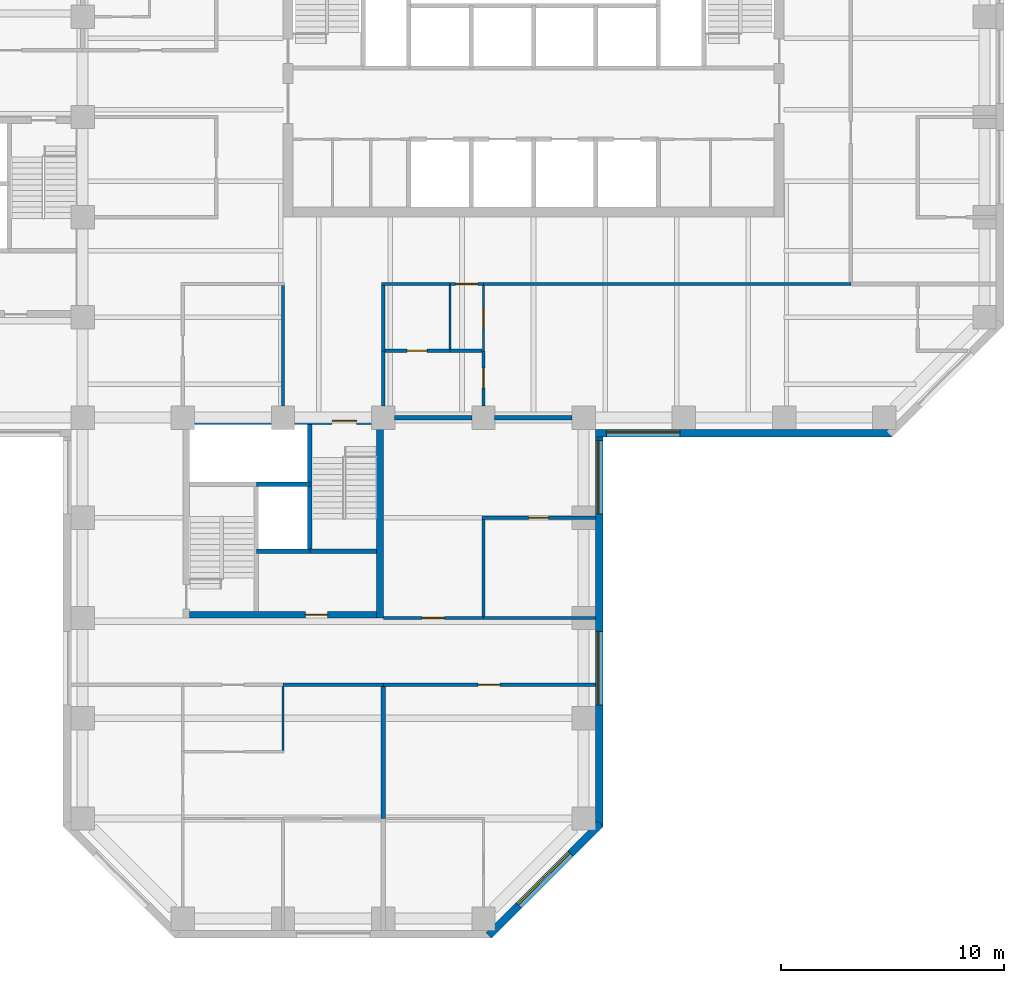
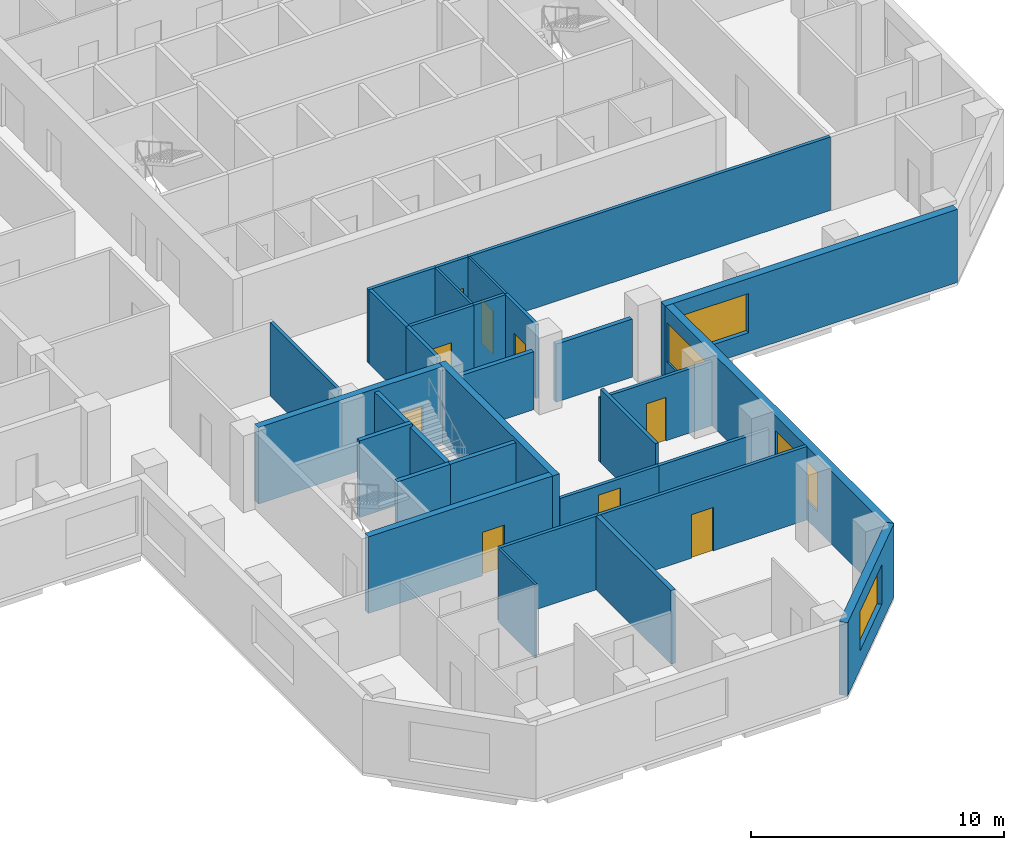
# One storey, part 4 of 11: 31 walls, 9 doors, 4 windows, 13 openings.
"""IFC4 building model written with IfcOpenShell, lengths in metres."""

from ifc_helpers import new_model, si_unit, direction, frame, frame_2d, origin, place, context, subcontext, project, spatial, rectangle, extrude, material, layer, layer_set, constituent, constituent_set, type_object, element, fill, save


model = new_model("IFC4")

# Units and contexts
model_context = context("Model", 3, precision=1e-05, world=origin(), true_north=direction((0.0, 1.0)))
body_context = subcontext(model_context, "Body", "Model", "MODEL_VIEW")
ifc_project = project(units=[si_unit("LENGTHUNIT", "METRE"), si_unit("AREAUNIT", "SQUARE_METRE"), si_unit("VOLUMEUNIT", "CUBIC_METRE"), si_unit("PLANEANGLEUNIT", "RADIAN"), si_unit("MASSUNIT", "GRAM", prefix="KILO")], contexts=[model_context])

# Site, building, storey
site_placement = place(None, origin())
site = spatial("IfcSite", under=ifc_project, at=site_placement, CompositionType="ELEMENT")
building_placement = place(site_placement, origin())
building = spatial("IfcBuilding", under=site, at=building_placement, Name="Quoin Convention Tower", CompositionType="ELEMENT")
storey_placement = place(building_placement, frame((0.0, 0.0, 119.60009765625)))
storey = spatial("IfcBuildingStorey", under=building, at=storey_placement, Name="L31", CompositionType="ELEMENT", Elevation=119.60009765625)

# Wall, opening, door
ifc_material_1 = material(Name="Plasterboard")
ifc_layer_1 = layer(ifc_material_1, 0.012451171875, Name="Finish")
ifc_material_2 = material(Name="Steel stud framing", Category="steel")
ifc_layer_2 = layer(ifc_material_2, 0.125, Name="Structure")
ifc_layer_3 = layer(ifc_material_1, 0.012451171875, Name="Finish")
ifc_layer_set_1 = layer_set([ifc_layer_1, ifc_layer_2, ifc_layer_3], Name="Steel stud framing")
wall_type_1 = type_object("IfcWallType", Name="Acoustic partition 150", PredefinedType="PARTITIONING", material=ifc_layer_set_1)
wall_1_placement = place(storey_placement, frame((49.574951171875, 43.5, 0.0), z_axis=(0.0, 0.0, 1.0), x_axis=(1.0, 0.0, 0.0)))
wall_1 = element("IfcWall", 1, at=wall_1_placement, inside=storey, type_object=wall_type_1, Name="pw-L31-014", PredefinedType="PARTITIONING", context=body_context, shape_type="SweptSolid", body=[
    extrude(rectangle(XDim=2.925048828125, YDim=0.14990234375, at=frame_2d((1.46240234375, 0.0))), origin(), (0.0, 0.0, 1.0), 3.5498046875),
])
opening_1_placement = place(wall_1_placement, frame((1.0, 0.0, 0.0)))
opening_1 = element("IfcOpeningElement", 2, at=opening_1_placement, cuts=wall_1, Name="Opening DOL6-08", PredefinedType="OPENING", context=body_context, shape_type="SweptSolid", body=[
    extrude(rectangle(XDim=0.89990234375, YDim=2.10009765625, at=frame_2d((0.449951171875, 1.050048828125))), frame((0.0, 0.0849609375, 0.0), z_axis=(0.0, -1.0, 0.0), x_axis=(1.0, 0.0, 0.0)), (0.0, 0.0, 1.0), 0.169921875),
])
ifc_material_3 = material(Name="Steel door leaf", Category="steel")
door_type_1 = type_object("IfcDoorType", Name="Office door 900 x 2100", OperationType="SINGLE_SWING_RIGHT", PredefinedType="DOOR", material=ifc_material_3)
door_1_placement = place(opening_1_placement, frame((0.89990234375, 0.0, 0.0), z_axis=(0.0, 0.0, 1.0), x_axis=(-1.0, 0.0, 0.0)))
door_1 = element("IfcDoor", 3, at=door_1_placement, inside=storey, type_object=door_type_1, Name="dr-L31-22", OperationType="SINGLE_SWING_LEFT", OverallHeight=2.10009765625, OverallWidth=0.89990234375, PredefinedType="DOOR", context=body_context, shape_type="SweptSolid", body=[
    extrude(rectangle(XDim=0.89990234375, YDim=2.10009765625, at=frame_2d((0.449951171875, 1.050048828125))), frame((0.0, 0.02490234375, 0.0), z_axis=(0.0, -1.0, 0.0), x_axis=(1.0, 0.0, 0.0)), (0.0, 0.0, 1.0), 0.050048828125),
])
fill(opening_1, door_1)

# Walls
wall_2_placement = place(storey_placement, frame((52.5, 43.5, 0.0), z_axis=(0.0, 0.0, 1.0), x_axis=(1.0, 0.0, 0.0)))
element("IfcWall", 4, at=wall_2_placement, inside=storey, type_object=wall_type_1, Name="pw-L31-015", PredefinedType="PARTITIONING", context=body_context, shape_type="SweptSolid", body=[
    extrude(rectangle(XDim=1.425048828125, YDim=0.14990234375, at=frame_2d((0.71240234375, 0.0))), origin(), (0.0, 0.0, 1.0), 3.5498046875),
])
wall_3_placement = place(storey_placement, frame((54.0, 31.574951171875, 0.0), z_axis=(0.0, 0.0, 1.0), x_axis=(0.0, 1.0, 0.0)))
element("IfcWall", 5, at=wall_3_placement, inside=storey, type_object=wall_type_1, Name="pw-L31-067", PredefinedType="PARTITIONING", context=body_context, shape_type="SweptSolid", body=[
    extrude(rectangle(XDim=4.35009765625, YDim=0.14990234375, at=frame_2d((2.175048828125, 0.0))), origin(), (0.0, 0.0, 1.0), 3.5498046875),
])

# Wall, opening, door
wall_4_placement = place(storey_placement, frame((54.0, 41.02490234375, 0.0), z_axis=(0.0, 0.0, 1.0), x_axis=(0.0, 1.0, 0.0)))
wall_4 = element("IfcWall", 6, at=wall_4_placement, inside=storey, type_object=wall_type_1, Name="pw-L31-072", PredefinedType="PARTITIONING", context=body_context, shape_type="SweptSolid", body=[
    extrude(rectangle(XDim=2.47509765625, YDim=0.14990234375, at=frame_2d((1.237548828125, 0.0))), origin(), (0.0, 0.0, 1.0), 3.5498046875),
])
opening_2_placement = place(wall_4_placement, frame((0.800048828125, 0.0, 0.0)))
opening_2 = element("IfcOpeningElement", 7, at=opening_2_placement, cuts=wall_4, Name="Opening DOL6-26", PredefinedType="OPENING", context=body_context, shape_type="SweptSolid", body=[
    extrude(rectangle(XDim=0.89990234375, YDim=2.10009765625, at=frame_2d((0.449951171875, 1.050048828125))), frame((0.0, 0.0849609375, 0.0), z_axis=(0.0, -1.0, 0.0), x_axis=(1.0, 0.0, 0.0)), (0.0, 0.0, 1.0), 0.169921875),
])
door_2_placement = place(opening_2_placement, frame((0.89990234375, 0.0, 0.0), z_axis=(0.0, 0.0, 1.0), x_axis=(-1.0, 0.0, 0.0)))
door_2 = element("IfcDoor", 8, at=door_2_placement, inside=storey, type_object=door_type_1, Name="dr-L31-21", OperationType="SINGLE_SWING_LEFT", OverallHeight=2.10009765625, OverallWidth=0.89990234375, PredefinedType="DOOR", context=body_context, shape_type="SweptSolid", body=[
    extrude(rectangle(XDim=0.89990234375, YDim=2.10009765625, at=frame_2d((0.449951171875, 1.050048828125))), frame((0.0, 0.02490234375, 0.0), z_axis=(0.0, -1.0, 0.0), x_axis=(1.0, 0.0, 0.0)), (0.0, 0.0, 1.0), 0.050048828125),
])
fill(opening_2, door_2)

ifc_layer_4 = layer(ifc_material_1, 0.012451171875, Name="Finish")
ifc_layer_5 = layer(ifc_material_2, 0.125, Name="Structure")
ifc_layer_6 = layer(ifc_material_1, 0.012451171875, Name="Finish")
ifc_layer_set_2 = layer_set([ifc_layer_4, ifc_layer_5, ifc_layer_6], Name="Steel stud framing")
wall_type_2 = type_object("IfcWallType", Name="Acoustic partition 150 under beam 454", PredefinedType="PARTITIONING", material=ifc_layer_set_2)
wall_5_placement = place(storey_placement, frame((53.925048828125, 36.0, 0.0), z_axis=(0.0, 0.0, 1.0), x_axis=(1.0, 0.0, 0.0)))
wall_5 = element("IfcWall", 9, at=wall_5_placement, inside=storey, type_object=wall_type_2, Name="pw-L31-011", PredefinedType="PARTITIONING", context=body_context, shape_type="SweptSolid", body=[
    extrude(rectangle(XDim=5.099853515625, YDim=0.14990234375, at=frame_2d((2.5498046875, 0.0))), origin(), (0.0, 0.0, 1.0), 3.095947265625),
])
opening_3_placement = place(wall_5_placement, frame((2.10009765625, 0.0, 0.0)))
opening_3 = element("IfcOpeningElement", 10, at=opening_3_placement, cuts=wall_5, Name="Opening DOL6-07", PredefinedType="OPENING", context=body_context, shape_type="SweptSolid", body=[
    extrude(rectangle(XDim=0.89990234375, YDim=2.10009765625, at=frame_2d((0.449951171875, 1.050048828125))), frame((0.0, 0.0849609375, 0.0), z_axis=(0.0, -1.0, 0.0), x_axis=(1.0, 0.0, 0.0)), (0.0, 0.0, 1.0), 0.169921875),
])
door_3_placement = place(opening_3_placement, origin())
door_3 = element("IfcDoor", 11, at=door_3_placement, inside=storey, type_object=door_type_1, Name="dr-L31-17", OperationType="SINGLE_SWING_RIGHT", OverallHeight=2.10009765625, OverallWidth=0.89990234375, PredefinedType="DOOR", context=body_context, shape_type="SweptSolid", body=[
    extrude(rectangle(XDim=0.89990234375, YDim=2.10009765625, at=frame_2d((0.449951171875, 1.050048828125))), frame((0.0, 0.02490234375, 0.0), z_axis=(0.0, -1.0, 0.0), x_axis=(1.0, 0.0, 0.0)), (0.0, 0.0, 1.0), 0.050048828125),
])
fill(opening_3, door_3)

# Wall, opening, window
ifc_material_4 = material(Name="Brick masonry", Category="masonry")
ifc_layer_7 = layer(ifc_material_4, 0.35009765625)
ifc_layer_set_3 = layer_set([ifc_layer_7], Name="Brick masonry")
wall_type_3 = type_object("IfcWallType", Name="Brick facade wall", PredefinedType="STANDARD", material=ifc_layer_set_3)
wall_6_placement = place(storey_placement, frame((59.02490234375, 39.800048828125, 0.0), z_axis=(0.0, 0.0, 1.0), x_axis=(1.0, 0.0, 0.0)))
wall_6 = element("IfcWall", 12, at=wall_6_placement, inside=storey, type_object=wall_type_3, Name="fw-L31-58500_40500", PredefinedType="STANDARD", context=body_context, shape_type="SweptSolid", body=[
    extrude(rectangle(XDim=13.33740234375, YDim=0.35009765625, at=frame_2d((6.668701171875, 0.0))), origin(), (0.0, 0.0, 1.0), 3.52490234375),
])
opening_4_placement = place(wall_6_placement, frame((0.5, 0.0, 0.89990234375)))
opening_4 = element("IfcOpeningElement", 13, at=opening_4_placement, cuts=wall_6, Name="Opening W-02", PredefinedType="OPENING", context=body_context, shape_type="SweptSolid", body=[
    extrude(rectangle(XDim=3.300048828125, YDim=1.89990234375, at=frame_2d((1.64990234375, 0.949951171875))), frame((0.0, 0.18505859375, 0.0), z_axis=(0.0, -1.0, 0.0), x_axis=(1.0, 0.0, 0.0)), (0.0, 0.0, 1.0), 0.3701171875),
])
ifc_material_5 = material(Name="Aluminium", Category="aluminium")
ifc_constituent_1 = constituent(ifc_material_5, Name="Frame")
ifc_material_6 = material(Name="Insulated glass", Category="glass")
ifc_constituent_2 = constituent(ifc_material_6, Name="Glazing")
ifc_constituent_set = constituent_set(constituents=[ifc_constituent_1, ifc_constituent_2], Name="Aluminium")
window_type = type_object("IfcWindowType", Name="Office window", PartitioningType="DOUBLE_PANEL_VERTICAL", PredefinedType="WINDOW", material=ifc_constituent_set)
window_1_placement = place(opening_4_placement, origin())
window_1 = element("IfcWindow", 14, at=window_1_placement, inside=storey, type_object=window_type, Name="win-L31-60750_39800", OverallHeight=1.89990234375, OverallWidth=3.300048828125, PartitioningType="SINGLE_PANEL", PredefinedType="WINDOW", context=body_context, shape_type="SweptSolid", body=[
    extrude(rectangle(XDim=3.300048828125, YDim=1.89990234375, at=frame_2d((1.64990234375, 0.949951171875))), frame((0.0, 0.0849609375, 0.0), z_axis=(0.0, -1.0, 0.0), x_axis=(1.0, 0.0, 0.0)), (0.0, 0.0, 1.0), 0.06005859375),
])
fill(opening_4, window_1)

wall_7_placement = place(storey_placement, frame((54.23876953125, 17.248779296875, 0.0), z_axis=(0.0, 0.0, 1.0), x_axis=(0.707106781187, 0.707106781187, 0.0)))
wall_7 = element("IfcWall", 15, at=wall_7_placement, inside=storey, type_object=wall_type_3, Name="fw-L31-54000_18000", PredefinedType="STANDARD", context=body_context, shape_type="SweptSolid", body=[
    extrude(rectangle(XDim=7.088623046875, YDim=0.35009765625, at=frame_2d((3.54443359375, 0.0))), origin(), (0.0, 0.0, 1.0), 3.52490234375),
])
opening_5_placement = place(wall_7_placement, frame((1.894287109375, 0.0, 0.89990234375)))
opening_5 = element("IfcOpeningElement", 16, at=opening_5_placement, cuts=wall_7, Name="Opening W-02", PredefinedType="OPENING", context=body_context, shape_type="SweptSolid", body=[
    extrude(rectangle(XDim=3.300048828125, YDim=1.89990234375, at=frame_2d((1.64990234375, 0.949951171875))), frame((0.0, 0.18505859375, 0.0), z_axis=(0.0, -1.0, 0.0), x_axis=(1.0, 0.0, 0.0)), (0.0, 0.0, 1.0), 0.3701171875),
])
window_2_placement = place(opening_5_placement, origin())
window_2 = element("IfcWindow", 17, at=window_2_placement, inside=storey, type_object=window_type, Name="win-L31-56745_19755", OverallHeight=1.89990234375, OverallWidth=3.300048828125, PartitioningType="SINGLE_PANEL", PredefinedType="WINDOW", context=body_context, shape_type="SweptSolid", body=[
    extrude(rectangle(XDim=3.300048828125, YDim=1.89990234375, at=frame_2d((1.64990234375, 0.949951171875))), frame((0.0, 0.0849609375, 0.0), z_axis=(0.0, -1.0, 0.0), x_axis=(1.0, 0.0, 0.0)), (0.0, 0.0, 1.0), 0.06005859375),
])
fill(opening_5, window_2)

# Wall, openings, windows
wall_8_placement = place(storey_placement, frame((59.199951171875, 22.1376953125, 0.0), z_axis=(0.0, 0.0, 1.0), x_axis=(0.0, 1.0, 0.0)))
wall_8 = element("IfcWall", 18, at=wall_8_placement, inside=storey, type_object=wall_type_3, Name="fw-L31-58500_22500", PredefinedType="STANDARD", context=body_context, shape_type="SweptSolid", body=[
    extrude(rectangle(XDim=17.83740234375, YDim=0.35009765625, at=frame_2d((8.918701171875, 0.0))), origin(), (0.0, 0.0, 1.0), 3.52490234375),
])
opening_6_placement = place(wall_8_placement, frame((5.46240234375, 0.0, 0.89990234375)))
opening_6 = element("IfcOpeningElement", 19, at=opening_6_placement, cuts=wall_8, Name="Opening W-02", PredefinedType="OPENING", context=body_context, shape_type="SweptSolid", body=[
    extrude(rectangle(XDim=3.300048828125, YDim=1.89990234375, at=frame_2d((1.64990234375, 0.949951171875))), frame((0.0, 0.18505859375, 0.0), z_axis=(0.0, -1.0, 0.0), x_axis=(1.0, 0.0, 0.0)), (0.0, 0.0, 1.0), 0.3701171875),
])
opening_7_placement = place(wall_8_placement, frame((14.037353515625, 0.0, 0.89990234375)))
opening_7 = element("IfcOpeningElement", 20, at=opening_7_placement, cuts=wall_8, Name="Opening W-02", PredefinedType="OPENING", context=body_context, shape_type="SweptSolid", body=[
    extrude(rectangle(XDim=3.300048828125, YDim=1.89990234375, at=frame_2d((1.64990234375, 0.949951171875))), frame((0.0, 0.18505859375, 0.0), z_axis=(0.0, -1.0, 0.0), x_axis=(1.0, 0.0, 0.0)), (0.0, 0.0, 1.0), 0.3701171875),
])
window_3_placement = place(opening_6_placement, origin())
window_3 = element("IfcWindow", 21, at=window_3_placement, inside=storey, type_object=window_type, Name="win-L31-59200_29250", OverallHeight=1.89990234375, OverallWidth=3.300048828125, PartitioningType="SINGLE_PANEL", PredefinedType="WINDOW", context=body_context, shape_type="SweptSolid", body=[
    extrude(rectangle(XDim=3.300048828125, YDim=1.89990234375, at=frame_2d((1.64990234375, 0.949951171875))), frame((0.0, 0.0849609375, 0.0), z_axis=(0.0, -1.0, 0.0), x_axis=(1.0, 0.0, 0.0)), (0.0, 0.0, 1.0), 0.06005859375),
])
fill(opening_6, window_3)
window_4_placement = place(opening_7_placement, origin())
window_4 = element("IfcWindow", 22, at=window_4_placement, inside=storey, type_object=window_type, Name="win-L31-59200_38250", OverallHeight=1.89990234375, OverallWidth=3.300048828125, PartitioningType="SINGLE_PANEL", PredefinedType="WINDOW", context=body_context, shape_type="SweptSolid", body=[
    extrude(rectangle(XDim=3.300048828125, YDim=1.89990234375, at=frame_2d((1.64990234375, 0.949951171875))), frame((0.0, 0.0849609375, 0.0), z_axis=(0.0, -1.0, 0.0), x_axis=(1.0, 0.0, 0.0)), (0.0, 0.0, 1.0), 0.06005859375),
])
fill(opening_7, window_4)

# Walls
ifc_material_7 = material(Name="Concrete C50", Category="concrete")
ifc_layer_8 = layer(ifc_material_7, 0.199951171875)
ifc_layer_set_4 = layer_set([ifc_layer_8], Name="Concrete C50")
wall_type_4 = type_object("IfcWallType", Name="Core shaft wall", PredefinedType="SOLIDWALL", material=ifc_layer_set_4)
wall_9_placement = place(storey_placement, frame((43.800048828125, 34.5, 0.0), z_axis=(0.0, 0.0, 1.0), x_axis=(1.0, 0.0, 0.0)))
element("IfcWall", 23, at=wall_9_placement, inside=storey, type_object=wall_type_4, Name="cr-P3-L31-h3000_3300", PredefinedType="SOLIDWALL", context=body_context, shape_type="SweptSolid", body=[
    extrude(rectangle(XDim=2.39990234375, YDim=0.199951171875, at=frame_2d((1.199951171875, 0.0))), origin(), (0.0, 0.0, 1.0), 3.5498046875),
])
wall_10_placement = place(storey_placement, frame((46.199951171875, 34.5, 0.0), z_axis=(0.0, 0.0, 1.0), x_axis=(1.0, 0.0, 0.0)))
element("IfcWall", 24, at=wall_10_placement, inside=storey, type_object=wall_type_4, Name="cr-P3-L31-h3000_5700", PredefinedType="SOLIDWALL", context=body_context, shape_type="SweptSolid", body=[
    extrude(rectangle(XDim=3.0, YDim=0.199951171875, at=frame_2d((1.5, 0.0))), origin(), (0.0, 0.0, 1.0), 3.5498046875),
])
wall_11_placement = place(storey_placement, frame((46.199951171875, 34.5, 0.0), z_axis=(0.0, 0.0, 1.0), x_axis=(0.0, 1.0, 0.0)))
element("IfcWall", 25, at=wall_11_placement, inside=storey, type_object=wall_type_4, Name="cr-P3-L31-v5700_3000", PredefinedType="SOLIDWALL", context=body_context, shape_type="SweptSolid", body=[
    extrude(rectangle(XDim=5.699951171875, YDim=0.199951171875, at=frame_2d((2.85009765625, 0.0))), origin(), (0.0, 0.0, 1.0), 3.5498046875),
])
ifc_layer_9 = layer(ifc_material_7, 0.199951171875)
ifc_layer_set_5 = layer_set([ifc_layer_9], Name="Concrete C50")
wall_type_5 = type_object("IfcWallType", Name="Core shaft wall to the floor level over", PredefinedType="SOLIDWALL", material=ifc_layer_set_5)
wall_12_placement = place(storey_placement, frame((43.800048828125, 37.5, 0.0), z_axis=(0.0, 0.0, 1.0), x_axis=(1.0, 0.0, 0.0)))
element("IfcWall", 26, at=wall_12_placement, inside=storey, type_object=wall_type_5, Name="cr-P3-L31-h6000_3300", PredefinedType="SOLIDWALL", context=body_context, shape_type="SweptSolid", body=[
    extrude(rectangle(XDim=2.39990234375, YDim=0.199951171875, at=frame_2d((1.199951171875, 0.0))), origin(), (0.0, 0.0, 1.0), 3.699951171875),
])
ifc_layer_10 = layer(ifc_material_1, 0.012451171875, Name="Finish")
ifc_layer_11 = layer(ifc_material_2, 0.125, Name="Structure")
ifc_layer_12 = layer(ifc_material_1, 0.012451171875, Name="Finish")
ifc_layer_set_6 = layer_set([ifc_layer_10, ifc_layer_11, ifc_layer_12], Name="Steel stud framing")
wall_type_6 = type_object("IfcWallType", Name="Corridor wall 150", PredefinedType="PARTITIONING", material=ifc_layer_set_6)
wall_13_placement = place(storey_placement, frame((45.0, 28.5, 0.0), z_axis=(0.0, 0.0, 1.0), x_axis=(1.0, 0.0, 0.0)))
element("IfcWall", 27, at=wall_13_placement, inside=storey, type_object=wall_type_6, Name="pw-L31-007", PredefinedType="PARTITIONING", context=body_context, shape_type="SweptSolid", body=[
    extrude(rectangle(XDim=4.5, YDim=0.14990234375, at=frame_2d((2.25, 0.0))), origin(), (0.0, 0.0, 1.0), 3.5498046875),
])

# Wall, opening, door
wall_14_placement = place(storey_placement, frame((49.5, 28.5, 0.0), z_axis=(0.0, 0.0, 1.0), x_axis=(1.0, 0.0, 0.0)))
wall_14 = element("IfcWall", 28, at=wall_14_placement, inside=storey, type_object=wall_type_6, Name="pw-L31-008", PredefinedType="PARTITIONING", context=body_context, shape_type="SweptSolid", body=[
    extrude(rectangle(XDim=9.52490234375, YDim=0.14990234375, at=frame_2d((4.762451171875, 0.0))), origin(), (0.0, 0.0, 1.0), 3.5498046875),
])
opening_8_placement = place(wall_14_placement, frame((4.25, 0.0, 0.0)))
opening_8 = element("IfcOpeningElement", 29, at=opening_8_placement, cuts=wall_14, Name="Opening DOL6-05", PredefinedType="OPENING", context=body_context, shape_type="SweptSolid", body=[
    extrude(rectangle(XDim=1.0, YDim=2.10009765625, at=frame_2d((0.5, 1.050048828125))), frame((0.0, 0.0849609375, 0.0), z_axis=(0.0, -1.0, 0.0), x_axis=(1.0, 0.0, 0.0)), (0.0, 0.0, 1.0), 0.169921875),
])
door_type_2 = type_object("IfcDoorType", Name="Tenancy entrance door 1000 x 2100", OperationType="DOUBLE_DOOR_SINGLE_SWING", PredefinedType="DOOR", material=ifc_material_3)
door_4_placement = place(opening_8_placement, frame((1.0, 0.0, 0.0), z_axis=(0.0, 0.0, 1.0), x_axis=(-1.0, 0.0, 0.0)))
door_4 = element("IfcDoor", 30, at=door_4_placement, inside=storey, type_object=door_type_2, Name="dr-L31-14", OperationType="DOUBLE_DOOR_SINGLE_SWING", OverallHeight=2.10009765625, OverallWidth=1.0, PredefinedType="DOOR", context=body_context, shape_type="SweptSolid", body=[
    extrude(rectangle(XDim=1.0, YDim=2.10009765625, at=frame_2d((0.5, 1.050048828125))), frame((0.0, 0.02490234375, 0.0), z_axis=(0.0, -1.0, 0.0), x_axis=(1.0, 0.0, 0.0)), (0.0, 0.0, 1.0), 0.050048828125),
])
fill(opening_8, door_4)

# Wall
wall_15_placement = place(storey_placement, frame((49.425048828125, 46.5, 0.0), z_axis=(0.0, 0.0, 1.0), x_axis=(1.0, 0.0, 0.0)))
element("IfcWall", 31, at=wall_15_placement, inside=storey, type_object=wall_type_6, Name="pw-L31-021", PredefinedType="PARTITIONING", context=body_context, shape_type="SweptSolid", body=[
    extrude(rectangle(XDim=3.074951171875, YDim=0.14990234375, at=frame_2d((1.53759765625, 0.0))), origin(), (0.0, 0.0, 1.0), 3.5498046875),
])

# Wall, opening, door
wall_16_placement = place(storey_placement, frame((52.5, 46.5, 0.0), z_axis=(0.0, 0.0, 1.0), x_axis=(1.0, 0.0, 0.0)))
wall_16 = element("IfcWall", 32, at=wall_16_placement, inside=storey, type_object=wall_type_6, Name="pw-L31-022", PredefinedType="PARTITIONING", context=body_context, shape_type="SweptSolid", body=[
    extrude(rectangle(XDim=1.5, YDim=0.14990234375, at=frame_2d((0.75, 0.0))), origin(), (0.0, 0.0, 1.0), 3.5498046875),
])
opening_9_placement = place(wall_16_placement, frame((0.25, 0.0, 0.0)))
opening_9 = element("IfcOpeningElement", 33, at=opening_9_placement, cuts=wall_16, Name="Opening DOL6-09", PredefinedType="OPENING", context=body_context, shape_type="SweptSolid", body=[
    extrude(rectangle(XDim=1.0, YDim=2.10009765625, at=frame_2d((0.5, 1.050048828125))), frame((0.0, 0.0849609375, 0.0), z_axis=(0.0, -1.0, 0.0), x_axis=(1.0, 0.0, 0.0)), (0.0, 0.0, 1.0), 0.169921875),
])
door_5_placement = place(opening_9_placement, frame((1.0, 0.0, 0.0), z_axis=(0.0, 0.0, 1.0), x_axis=(-1.0, 0.0, 0.0)))
door_5 = element("IfcDoor", 34, at=door_5_placement, inside=storey, type_object=door_type_2, Name="dr-L31-18", OperationType="DOUBLE_DOOR_SINGLE_SWING", OverallHeight=2.10009765625, OverallWidth=1.0, PredefinedType="DOOR", context=body_context, shape_type="SweptSolid", body=[
    extrude(rectangle(XDim=1.0, YDim=2.10009765625, at=frame_2d((0.5, 1.050048828125))), frame((0.0, 0.02490234375, 0.0), z_axis=(0.0, -1.0, 0.0), x_axis=(1.0, 0.0, 0.0)), (0.0, 0.0, 1.0), 0.050048828125),
])
fill(opening_9, door_5)

# Walls
wall_17_placement = place(storey_placement, frame((54.0, 46.5, 0.0), z_axis=(0.0, 0.0, 1.0), x_axis=(1.0, 0.0, 0.0)))
element("IfcWall", 35, at=wall_17_placement, inside=storey, type_object=wall_type_6, Name="pw-L31-023", PredefinedType="PARTITIONING", context=body_context, shape_type="SweptSolid", body=[
    extrude(rectangle(XDim=16.5, YDim=0.14990234375, at=frame_2d((8.25, 0.0))), origin(), (0.0, 0.0, 1.0), 3.5498046875),
])
wall_18_placement = place(storey_placement, frame((45.0, 41.02490234375, 0.0), z_axis=(0.0, 0.0, 1.0), x_axis=(0.0, 1.0, 0.0)))
element("IfcWall", 36, at=wall_18_placement, inside=storey, type_object=wall_type_6, Name="pw-L31-070", PredefinedType="PARTITIONING", context=body_context, shape_type="SweptSolid", body=[
    extrude(rectangle(XDim=5.400146484375, YDim=0.14990234375, at=frame_2d((2.7001953125, 0.0))), origin(), (0.0, 0.0, 1.0), 3.5498046875),
])
wall_19_placement = place(storey_placement, frame((49.5, 41.02490234375, 0.0), z_axis=(0.0, 0.0, 1.0), x_axis=(0.0, 1.0, 0.0)))
element("IfcWall", 37, at=wall_19_placement, inside=storey, type_object=wall_type_6, Name="pw-L31-071", PredefinedType="PARTITIONING", context=body_context, shape_type="SweptSolid", body=[
    extrude(rectangle(XDim=2.47509765625, YDim=0.14990234375, at=frame_2d((1.237548828125, 0.0))), origin(), (0.0, 0.0, 1.0), 3.5498046875),
])
wall_20_placement = place(storey_placement, frame((49.5, 43.5, 0.0), z_axis=(0.0, 0.0, 1.0), x_axis=(0.0, 1.0, 0.0)))
element("IfcWall", 38, at=wall_20_placement, inside=storey, type_object=wall_type_6, Name="pw-L31-073", PredefinedType="PARTITIONING", context=body_context, shape_type="SweptSolid", body=[
    extrude(rectangle(XDim=2.925048828125, YDim=0.14990234375, at=frame_2d((1.46240234375, 0.0))), origin(), (0.0, 0.0, 1.0), 3.5498046875),
])

# Wall, opening, door
ifc_layer_13 = layer(ifc_material_1, 0.012451171875, Name="Finish")
ifc_layer_14 = layer(ifc_material_2, 0.125, Name="Structure")
ifc_layer_15 = layer(ifc_material_1, 0.012451171875, Name="Finish")
ifc_layer_set_7 = layer_set([ifc_layer_13, ifc_layer_14, ifc_layer_15], Name="Steel stud framing")
wall_type_7 = type_object("IfcWallType", Name="Corridor wall 150 under beam 1000", PredefinedType="PARTITIONING", material=ifc_layer_set_7)
wall_21_placement = place(storey_placement, frame((49.5, 31.5, 0.0), z_axis=(0.0, 0.0, 1.0), x_axis=(1.0, 0.0, 0.0)))
wall_21 = element("IfcWall", 39, at=wall_21_placement, inside=storey, type_object=wall_type_7, Name="pw-L31-009", PredefinedType="PARTITIONING", context=body_context, shape_type="SweptSolid", body=[
    extrude(rectangle(XDim=4.5, YDim=0.14990234375, at=frame_2d((2.25, 0.0))), origin(), (0.0, 0.0, 1.0), 2.5498046875),
])
opening_10_placement = place(wall_21_placement, frame((1.75, 0.0, 0.0)))
opening_10 = element("IfcOpeningElement", 40, at=opening_10_placement, cuts=wall_21, Name="Opening DOL6-06", PredefinedType="OPENING", context=body_context, shape_type="SweptSolid", body=[
    extrude(rectangle(XDim=1.0, YDim=2.10009765625, at=frame_2d((0.5, 1.050048828125))), frame((0.0, 0.0849609375, 0.0), z_axis=(0.0, -1.0, 0.0), x_axis=(1.0, 0.0, 0.0)), (0.0, 0.0, 1.0), 0.169921875),
])
door_6_placement = place(opening_10_placement, origin())
door_6 = element("IfcDoor", 41, at=door_6_placement, inside=storey, type_object=door_type_2, Name="dr-L31-16", OperationType="DOUBLE_DOOR_SINGLE_SWING", OverallHeight=2.10009765625, OverallWidth=1.0, PredefinedType="DOOR", context=body_context, shape_type="SweptSolid", body=[
    extrude(rectangle(XDim=1.0, YDim=2.10009765625, at=frame_2d((0.5, 1.050048828125))), frame((0.0, 0.02490234375, 0.0), z_axis=(0.0, -1.0, 0.0), x_axis=(1.0, 0.0, 0.0)), (0.0, 0.0, 1.0), 0.050048828125),
])
fill(opening_10, door_6)

# Wall
wall_22_placement = place(storey_placement, frame((54.0, 31.5, 0.0), z_axis=(0.0, 0.0, 1.0), x_axis=(1.0, 0.0, 0.0)))
element("IfcWall", 42, at=wall_22_placement, inside=storey, type_object=wall_type_7, Name="pw-L31-010", PredefinedType="PARTITIONING", context=body_context, shape_type="SweptSolid", body=[
    extrude(rectangle(XDim=5.02490234375, YDim=0.14990234375, at=frame_2d((2.512451171875, 0.0))), origin(), (0.0, 0.0, 1.0), 2.5498046875),
])

# Wall, opening, door
ifc_material_8 = material(Name="Concrete C65", Category="concrete")
ifc_layer_16 = layer(ifc_material_8, 0.300048828125)
ifc_layer_set_8 = layer_set([ifc_layer_16], Name="Concrete C65")
wall_type_8 = type_object("IfcWallType", Name="RC CORE WALL 300 C65", PredefinedType="SHEAR", material=ifc_layer_set_8)
wall_23_placement = place(storey_placement, frame((40.800048828125, 31.64990234375, 0.0), z_axis=(0.0, 0.0, 1.0), x_axis=(1.0, 0.0, 0.0)))
wall_23 = element("IfcWall", 43, at=wall_23_placement, inside=storey, type_object=wall_type_8, Name="cwl-P3-L31-S", PredefinedType="SHEAR", context=body_context, shape_type="SweptSolid", body=[
    extrude(rectangle(XDim=8.39990234375, YDim=0.300048828125, at=frame_2d((4.199951171875, 0.0))), origin(), (0.0, 0.0, 1.0), 3.699951171875),
])
opening_11_placement = place(wall_23_placement, frame((5.199951171875, 0.0, 0.0)))
opening_11 = element("IfcOpeningElement", 44, at=opening_11_placement, cuts=wall_23, Name="Opening DCV5-52", PredefinedType="OPENING", context=body_context, shape_type="SweptSolid", body=[
    extrude(rectangle(XDim=1.0, YDim=2.10009765625, at=frame_2d((0.5, 1.050048828125))), frame((0.0, 0.159912109375, 0.0), z_axis=(0.0, -1.0, 0.0), x_axis=(1.0, 0.0, 0.0)), (0.0, 0.0, 1.0), 0.320068359375),
])
door_type_3 = type_object("IfcDoorType", Name="Service door 1000 x 2100", OperationType="SINGLE_SWING_LEFT", PredefinedType="DOOR", material=ifc_material_3)
door_7_placement = place(opening_11_placement, origin())
door_7 = element("IfcDoor", 45, at=door_7_placement, inside=storey, type_object=door_type_3, Name="cd-P3-L31-R2-S", OperationType="SINGLE_SWING_LEFT", OverallHeight=2.10009765625, OverallWidth=1.0, PredefinedType="DOOR", context=body_context, shape_type="SweptSolid", body=[
    extrude(rectangle(XDim=1.0, YDim=2.10009765625, at=frame_2d((0.5, 1.050048828125))), frame((0.0, 0.02490234375, 0.0), z_axis=(0.0, -1.0, 0.0), x_axis=(1.0, 0.0, 0.0)), (0.0, 0.0, 1.0), 0.050048828125),
])
fill(opening_11, door_7)

wall_24_placement = place(storey_placement, frame((40.800048828125, 40.35009765625, 0.0), z_axis=(0.0, 0.0, 1.0), x_axis=(1.0, 0.0, 0.0)))
wall_24 = element("IfcWall", 46, at=wall_24_placement, inside=storey, type_object=wall_type_8, Name="cwl-P3-L31-N", PredefinedType="SHEAR", context=body_context, shape_type="SweptSolid", body=[
    extrude(rectangle(XDim=8.39990234375, YDim=0.300048828125, at=frame_2d((4.199951171875, 0.0))), origin(), (0.0, 0.0, 1.0), 3.699951171875),
])
opening_12_placement = place(wall_24_placement, frame((6.39990234375, 0.0, 0.0)))
opening_12 = element("IfcOpeningElement", 47, at=opening_12_placement, cuts=wall_24, Name="Opening SD6", PredefinedType="OPENING", context=body_context, shape_type="SweptSolid", body=[
    extrude(rectangle(XDim=1.10009765625, YDim=2.10009765625, at=frame_2d((0.550048828125, 1.050048828125))), frame((0.0, 0.159912109375, 0.0), z_axis=(0.0, -1.0, 0.0), x_axis=(1.0, 0.0, 0.0)), (0.0, 0.0, 1.0), 0.320068359375),
])
door_type_4 = type_object("IfcDoorType", Name="Stair door 1100 x 2100", OperationType="SINGLE_SWING_RIGHT", PredefinedType="DOOR", material=ifc_material_3)
door_8_placement = place(opening_12_placement, frame((1.10009765625, 0.0, 0.0), z_axis=(0.0, 0.0, 1.0), x_axis=(-1.0, 0.0, 0.0)))
door_8 = element("IfcDoor", 48, at=door_8_placement, inside=storey, type_object=door_type_4, Name="cd-P3-L31-SB-N", OperationType="SINGLE_SWING_LEFT", OverallHeight=2.10009765625, OverallWidth=1.10009765625, PredefinedType="DOOR", context=body_context, shape_type="SweptSolid", body=[
    extrude(rectangle(XDim=1.10009765625, YDim=2.10009765625, at=frame_2d((0.550048828125, 1.050048828125))), frame((0.0, 0.02490234375, 0.0), z_axis=(0.0, -1.0, 0.0), x_axis=(1.0, 0.0, 0.0)), (0.0, 0.0, 1.0), 0.050048828125),
])
fill(opening_12, door_8)

# Walls
wall_25_placement = place(storey_placement, frame((49.35009765625, 31.5, 0.0), z_axis=(0.0, 0.0, 1.0), x_axis=(0.0, 1.0, 0.0)))
element("IfcWall", 49, at=wall_25_placement, inside=storey, type_object=wall_type_8, Name="cwl-P3-L31-E", PredefinedType="SHEAR", context=body_context, shape_type="SweptSolid", body=[
    extrude(rectangle(XDim=9.0, YDim=0.300048828125, at=frame_2d((4.5, 0.0))), origin(), (0.0, 0.0, 1.0), 3.699951171875),
])
ifc_layer_17 = layer(ifc_material_1, 0.012451171875, Name="Finish")
ifc_layer_18 = layer(ifc_material_2, 0.074951171875, Name="Structure")
ifc_layer_19 = layer(ifc_material_1, 0.012451171875, Name="Finish")
ifc_layer_set_9 = layer_set([ifc_layer_17, ifc_layer_18, ifc_layer_19], Name="Steel stud framing")
wall_type_9 = type_object("IfcWallType", Name="Stud partition 100", PredefinedType="PARTITIONING", material=ifc_layer_set_9)
wall_26_placement = place(storey_placement, frame((45.0, 25.550048828125, 0.0), z_axis=(0.0, 0.0, 1.0), x_axis=(0.0, 1.0, 0.0)))
element("IfcWall", 50, at=wall_26_placement, inside=storey, type_object=wall_type_9, Name="pw-L31-066", PredefinedType="PARTITIONING", context=body_context, shape_type="SweptSolid", body=[
    extrude(rectangle(XDim=2.875, YDim=0.10009765625, at=frame_2d((1.4375, 0.0))), origin(), (0.0, 0.0, 1.0), 3.5498046875),
])

# Wall, opening, door
wall_27_placement = place(storey_placement, frame((54.0, 43.5, 0.0), z_axis=(0.0, 0.0, 1.0), x_axis=(0.0, 1.0, 0.0)))
wall_27 = element("IfcWall", 51, at=wall_27_placement, inside=storey, type_object=wall_type_9, Name="pw-L31-074", PredefinedType="PARTITIONING", context=body_context, shape_type="SweptSolid", body=[
    extrude(rectangle(XDim=2.925048828125, YDim=0.10009765625, at=frame_2d((1.46240234375, 0.0))), origin(), (0.0, 0.0, 1.0), 3.5498046875),
])
opening_13_placement = place(wall_27_placement, frame((1.0, 0.0, 0.0)))
opening_13 = element("IfcOpeningElement", 52, at=opening_13_placement, cuts=wall_27, Name="Opening DOL6-27", PredefinedType="OPENING", context=body_context, shape_type="SweptSolid", body=[
    extrude(rectangle(XDim=0.89990234375, YDim=2.10009765625, at=frame_2d((0.449951171875, 1.050048828125))), frame((0.0, 0.06005859375, 0.0), z_axis=(0.0, -1.0, 0.0), x_axis=(1.0, 0.0, 0.0)), (0.0, 0.0, 1.0), 0.1201171875),
])
door_9_placement = place(opening_13_placement, frame((0.89990234375, 0.0, 0.0), z_axis=(0.0, 0.0, 1.0), x_axis=(-1.0, 0.0, 0.0)))
door_9 = element("IfcDoor", 53, at=door_9_placement, inside=storey, type_object=door_type_1, Name="dr-L31-19", OperationType="SINGLE_SWING_LEFT", OverallHeight=2.10009765625, OverallWidth=0.89990234375, PredefinedType="DOOR", context=body_context, shape_type="SweptSolid", body=[
    extrude(rectangle(XDim=0.89990234375, YDim=2.10009765625, at=frame_2d((0.449951171875, 1.050048828125))), frame((0.0, 0.02490234375, 0.0), z_axis=(0.0, -1.0, 0.0), x_axis=(1.0, 0.0, 0.0)), (0.0, 0.0, 1.0), 0.050048828125),
])
fill(opening_13, door_9)

# Walls
wall_28_placement = place(storey_placement, frame((52.5, 43.574951171875, 0.0), z_axis=(0.0, 0.0, 1.0), x_axis=(0.0, 1.0, 0.0)))
element("IfcWall", 54, at=wall_28_placement, inside=storey, type_object=wall_type_9, Name="pw-L31-075", PredefinedType="PARTITIONING", context=body_context, shape_type="SweptSolid", body=[
    extrude(rectangle(XDim=2.85009765625, YDim=0.10009765625, at=frame_2d((1.425048828125, 0.0))), origin(), (0.0, 0.0, 1.0), 3.5498046875),
])
ifc_layer_20 = layer(ifc_material_1, 0.012451171875, Name="Finish")
ifc_layer_21 = layer(ifc_material_2, 0.175048828125, Name="Structure")
ifc_layer_22 = layer(ifc_material_1, 0.012451171875, Name="Finish")
ifc_layer_set_10 = layer_set([ifc_layer_20, ifc_layer_21, ifc_layer_22], Name="Steel stud framing")
wall_type_10 = type_object("IfcWallType", Name="Tenancy demising wall 200", PredefinedType="PARTITIONING", material=ifc_layer_set_10)
wall_29_placement = place(storey_placement, frame((49.5, 22.5, 0.0), z_axis=(0.0, 0.0, 1.0), x_axis=(0.0, 1.0, 0.0)))
element("IfcWall", 55, at=wall_29_placement, inside=storey, type_object=wall_type_10, Name="pw-L31-064", PredefinedType="PARTITIONING", context=body_context, shape_type="SweptSolid", body=[
    extrude(rectangle(XDim=5.925048828125, YDim=0.199951171875, at=frame_2d((2.96240234375, 0.0))), origin(), (0.0, 0.0, 1.0), 3.5498046875),
])
ifc_layer_23 = layer(ifc_material_1, 0.012451171875, Name="Finish")
ifc_layer_24 = layer(ifc_material_2, 0.175048828125, Name="Structure")
ifc_layer_25 = layer(ifc_material_1, 0.012451171875, Name="Finish")
ifc_layer_set_11 = layer_set([ifc_layer_23, ifc_layer_24, ifc_layer_25], Name="Steel stud framing")
wall_type_11 = type_object("IfcWallType", Name="Tenancy demising wall 200 under beam 750", PredefinedType="PARTITIONING", material=ifc_layer_set_11)
wall_30_placement = place(storey_placement, frame((50.014892578125, 40.5, 0.0), z_axis=(0.0, 0.0, 1.0), x_axis=(1.0, 0.0, 0.0)))
element("IfcWall", 56, at=wall_30_placement, inside=storey, type_object=wall_type_11, Name="pw-L31-012", PredefinedType="PARTITIONING", context=body_context, shape_type="SweptSolid", body=[
    extrude(rectangle(XDim=3.460205078125, YDim=0.199951171875, at=frame_2d((1.72998046875, 0.0))), origin(), (0.0, 0.0, 1.0), 2.7998046875),
])
wall_31_placement = place(storey_placement, frame((54.4951171875, 40.5, 0.0), z_axis=(0.0, 0.0, 1.0), x_axis=(1.0, 0.0, 0.0)))
element("IfcWall", 57, at=wall_31_placement, inside=storey, type_object=wall_type_11, Name="pw-L31-013", PredefinedType="PARTITIONING", context=body_context, shape_type="SweptSolid", body=[
    extrude(rectangle(XDim=3.47998046875, YDim=0.199951171875, at=frame_2d((1.739990234375, 0.0))), origin(), (0.0, 0.0, 1.0), 2.7998046875),
])

save(model, "model.ifc")
